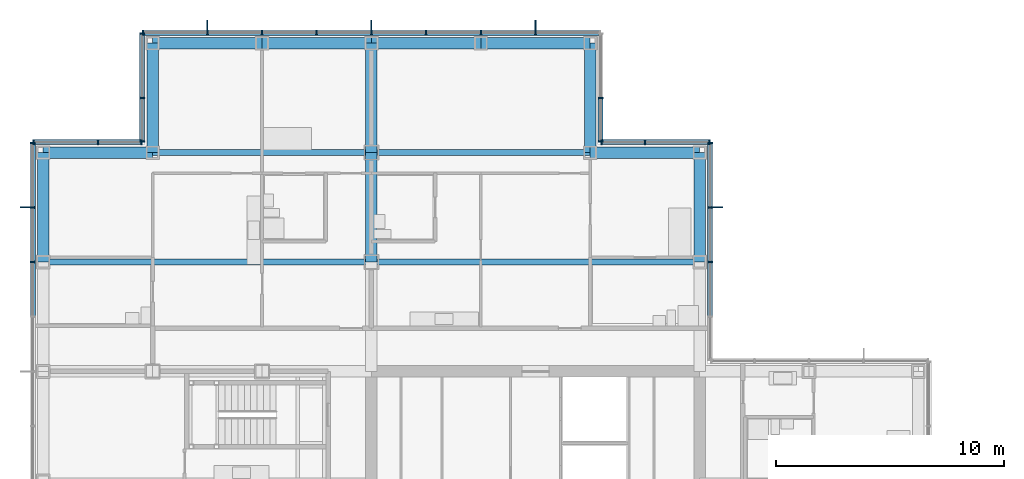
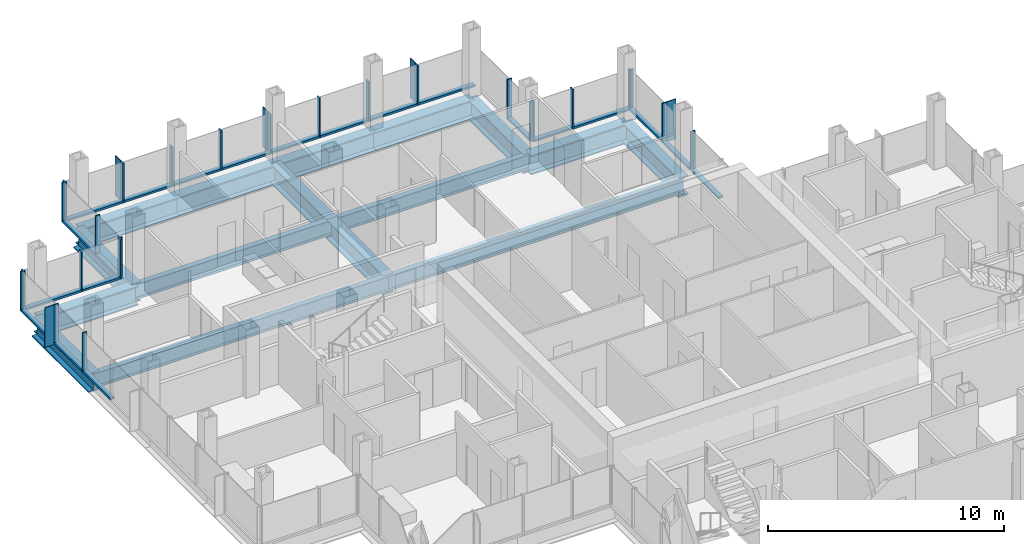
# One storey, part 10 of 20: 51 members, 16 beams, 7 elements without a shape of their own.
"""IFC4 building model written with IfcOpenShell, lengths in metres."""

from ifc_helpers import new_model, si_unit, direction, frame, origin, origin_2d, place, context, subcontext, project, spatial, rectangle, i_section, extrude, material, material_profile, profile_set, type_object, element, aggregate, save


model = new_model("IFC4")

# Units and contexts
model_context = context("Model", 3, precision=1e-05, world=origin(), true_north=direction((0.0, 1.0)))
body_context = subcontext(model_context, "Body", "Model", "MODEL_VIEW")
ifc_project = project(units=[si_unit("LENGTHUNIT", "METRE"), si_unit("AREAUNIT", "SQUARE_METRE"), si_unit("VOLUMEUNIT", "CUBIC_METRE"), si_unit("PLANEANGLEUNIT", "RADIAN"), si_unit("MASSUNIT", "GRAM", prefix="KILO")], contexts=[model_context])

# Site, building, storey
site_placement = place(None, origin())
site = spatial("IfcSite", under=ifc_project, at=site_placement, CompositionType="ELEMENT")
building_placement = place(site_placement, origin())
building = spatial("IfcBuilding", under=site, at=building_placement, Name="Kvirike Care Tower", CompositionType="ELEMENT")
storey_placement = place(building_placement, frame((0.0, 0.0, 133.0)))
storey = spatial("IfcBuildingStorey", under=building, at=storey_placement, Name="L36", CompositionType="ELEMENT", Elevation=133.0)

# Curtain wall, member
ifc_material_1 = material(Name="Anodised aluminium stick system", Category="aluminium")
curtain_wall_type = type_object("IfcCurtainWallType", Name="CW-B STICK CURTAIN WALL", PredefinedType="NOTDEFINED", material=ifc_material_1)
curtain_wall_1_placement = place(storey_placement, origin())
curtain_wall_1 = element("IfcCurtainWall", 1, at=curtain_wall_1_placement, inside=storey, type_object=curtain_wall_type, Name="Curtain wall L36 face 5", PredefinedType="NOTDEFINED")
ifc_material_2 = material(Name="Bronze anodised aluminium fin", Category="aluminium")
ifc_material_profile_1 = material_profile(ifc_material_2, rectangle(XDim=0.050048828125, YDim=0.449951171875, at=origin_2d()), Name="BRONZE FIN 450")
ifc_profile_set_1 = profile_set([ifc_material_profile_1], Name="Bronze anodised aluminium fin")
member_type_1 = type_object("IfcMemberType", Name="BRONZE FIN 450", PredefinedType="USERDEFINED", material=ifc_profile_set_1)
member_1_placement = place(storey_placement, frame((29.594970703125, 50.39990234375, 0.0), z_axis=(0.0, 0.0, 1.0), x_axis=(0.0, 1.0, 0.0)))
member_1 = element("IfcMember", 2, at=member_1_placement, type_object=member_type_1, Name="Bronze fin L36 face 5.4", ObjectType="FIN", PredefinedType="USERDEFINED", context=body_context, shape_type="SweptSolid", body=[
    extrude(rectangle(XDim=0.050048828125, YDim=0.449951171875, at=origin_2d()), origin(), (0.0, 0.0, 1.0), 2.050048828125),
])

# Curtain wall, members
curtain_wall_2_placement = place(storey_placement, origin())
curtain_wall_2 = element("IfcCurtainWall", 3, at=curtain_wall_2_placement, inside=storey, type_object=curtain_wall_type, Name="Curtain wall L36 face 8", PredefinedType="NOTDEFINED")
member_2_placement = place(storey_placement, frame((21.60009765625, 58.39501953125, 0.0), z_axis=(0.0, 0.0, 1.0), x_axis=(-1.0, 0.0, 0.0)))
member_2 = element("IfcMember", 4, at=member_2_placement, type_object=member_type_1, Name="Bronze fin L36 face 8.2", ObjectType="FIN", PredefinedType="USERDEFINED", context=body_context, shape_type="SweptSolid", body=[
    extrude(rectangle(XDim=0.050048828125, YDim=0.449951171875, at=origin_2d()), origin(), (0.0, 0.0, 1.0), 2.050048828125),
])
member_3_placement = place(storey_placement, frame((14.39990234375, 58.39501953125, 0.0), z_axis=(0.0, 0.0, 1.0), x_axis=(-1.0, 0.0, 0.0)))
member_3 = element("IfcMember", 5, at=member_3_placement, type_object=member_type_1, Name="Bronze fin L36 face 8.5", ObjectType="FIN", PredefinedType="USERDEFINED", context=body_context, shape_type="SweptSolid", body=[
    extrude(rectangle(XDim=0.050048828125, YDim=0.449951171875, at=origin_2d()), origin(), (0.0, 0.0, 1.0), 2.050048828125),
])
member_4_placement = place(storey_placement, frame((7.199951171875, 58.39501953125, 0.0), z_axis=(0.0, 0.0, 1.0), x_axis=(-1.0, 0.0, 0.0)))
member_4 = element("IfcMember", 6, at=member_4_placement, type_object=member_type_1, Name="Bronze fin L36 face 8.8", ObjectType="FIN", PredefinedType="USERDEFINED", context=body_context, shape_type="SweptSolid", body=[
    extrude(rectangle(XDim=0.050048828125, YDim=0.449951171875, at=origin_2d()), origin(), (0.0, 0.0, 1.0), 2.050048828125),
])

# Curtain wall, member
curtain_wall_3_placement = place(storey_placement, origin())
curtain_wall_3 = element("IfcCurtainWall", 7, at=curtain_wall_3_placement, inside=storey, type_object=curtain_wall_type, Name="Curtain wall L36 face 11", PredefinedType="NOTDEFINED")
member_5_placement = place(storey_placement, frame((-0.794921875, 50.39990234375, 0.0), z_axis=(0.0, 0.0, 1.0), x_axis=(0.0, -1.0, 0.0)))
member_5 = element("IfcMember", 8, at=member_5_placement, type_object=member_type_1, Name="Bronze fin L36 face 11.2", ObjectType="FIN", PredefinedType="USERDEFINED", context=body_context, shape_type="SweptSolid", body=[
    extrude(rectangle(XDim=0.050048828125, YDim=0.449951171875, at=origin_2d()), origin(), (0.0, 0.0, 1.0), 2.050048828125),
])

# Member
ifc_material_3 = material(Name="Bronze anodised aluminium mullion", Category="aluminium")
ifc_material_profile_2 = material_profile(ifc_material_3, rectangle(XDim=0.06494140625, YDim=0.219970703125, at=origin_2d()), Name="CW-B MULLION 65x220")
ifc_profile_set_2 = profile_set([ifc_material_profile_2], Name="Bronze anodised aluminium mullion")
member_type_2 = type_object("IfcMemberType", Name="CW-B MULLION 65x220", PredefinedType="MULLION", material=ifc_profile_set_2)
member_6_placement = place(storey_placement, frame((29.260009765625, 48.0, 0.0), z_axis=(0.0, 0.0, 1.0), x_axis=(0.0, 1.0, 0.0)))
member_6 = element("IfcMember", 9, at=member_6_placement, type_object=member_type_2, Name="CW-B mullion L36 face 5.3", PredefinedType="MULLION", context=body_context, shape_type="SweptSolid", body=[
    extrude(rectangle(XDim=0.06494140625, YDim=0.219970703125, at=origin_2d()), origin(), (0.0, 0.0, 1.0), 2.050048828125),
])

member_7_placement = place(storey_placement, frame((29.260009765625, 50.39990234375, 0.0), z_axis=(0.0, 0.0, 1.0), x_axis=(0.0, 1.0, 0.0)))
member_7 = element("IfcMember", 10, at=member_7_placement, type_object=member_type_2, Name="CW-B mullion L36 face 5.4", PredefinedType="MULLION", context=body_context, shape_type="SweptSolid", body=[
    extrude(rectangle(XDim=0.06494140625, YDim=0.219970703125, at=origin_2d()), origin(), (0.0, 0.0, 1.0), 2.050048828125),
])

member_8_placement = place(storey_placement, frame((29.260009765625, 53.2275390625, 0.0), z_axis=(0.0, 0.0, 1.0), x_axis=(0.0, 1.0, 0.0)))
member_8 = element("IfcMember", 11, at=member_8_placement, type_object=member_type_2, Name="CW-B mullion L36 face 5.5", PredefinedType="MULLION", context=body_context, shape_type="SweptSolid", body=[
    extrude(rectangle(XDim=0.06494140625, YDim=0.219970703125, at=origin_2d()), origin(), (0.0, 0.0, 1.0), 2.050048828125),
])

# Curtain wall, members
curtain_wall_4_placement = place(storey_placement, origin())
curtain_wall_4 = element("IfcCurtainWall", 12, at=curtain_wall_4_placement, inside=storey, type_object=curtain_wall_type, Name="Curtain wall L36 face 6", PredefinedType="NOTDEFINED")
member_9_placement = place(storey_placement, frame((29.2275390625, 53.260009765625, 0.0), z_axis=(0.0, 0.0, 1.0), x_axis=(-1.0, 0.0, 0.0)))
member_9 = element("IfcMember", 13, at=member_9_placement, type_object=member_type_2, Name="CW-B mullion L36 face 6.1", PredefinedType="MULLION", context=body_context, shape_type="SweptSolid", body=[
    extrude(rectangle(XDim=0.06494140625, YDim=0.219970703125, at=origin_2d()), origin(), (0.0, 0.0, 1.0), 2.050048828125),
])
member_10_placement = place(storey_placement, frame((26.39990234375, 53.260009765625, 0.0), z_axis=(0.0, 0.0, 1.0), x_axis=(-1.0, 0.0, 0.0)))
member_10 = element("IfcMember", 14, at=member_10_placement, type_object=member_type_2, Name="CW-B mullion L36 face 6.2", PredefinedType="MULLION", context=body_context, shape_type="SweptSolid", body=[
    extrude(rectangle(XDim=0.06494140625, YDim=0.219970703125, at=origin_2d()), origin(), (0.0, 0.0, 1.0), 2.050048828125),
])
member_11_placement = place(storey_placement, frame((24.492431640625, 53.260009765625, 0.0), z_axis=(0.0, 0.0, 1.0), x_axis=(-1.0, 0.0, 0.0)))
member_11 = element("IfcMember", 15, at=member_11_placement, type_object=member_type_2, Name="CW-B mullion L36 face 6.3", PredefinedType="MULLION", context=body_context, shape_type="SweptSolid", body=[
    extrude(rectangle(XDim=0.06494140625, YDim=0.219970703125, at=origin_2d()), origin(), (0.0, 0.0, 1.0), 2.050048828125),
])

curtain_wall_5_placement = place(storey_placement, origin())
curtain_wall_5 = element("IfcCurtainWall", 16, at=curtain_wall_5_placement, inside=storey, type_object=curtain_wall_type, Name="Curtain wall L36 face 7", PredefinedType="NOTDEFINED")
member_12_placement = place(storey_placement, frame((24.4599609375, 53.29248046875, 0.0), z_axis=(0.0, 0.0, 1.0), x_axis=(0.0, 1.0, 0.0)))
member_12 = element("IfcMember", 17, at=member_12_placement, type_object=member_type_2, Name="CW-B mullion L36 face 7.1", PredefinedType="MULLION", context=body_context, shape_type="SweptSolid", body=[
    extrude(rectangle(XDim=0.06494140625, YDim=0.219970703125, at=origin_2d()), origin(), (0.0, 0.0, 1.0), 2.050048828125),
])
member_13_placement = place(storey_placement, frame((24.4599609375, 55.199951171875, 0.0), z_axis=(0.0, 0.0, 1.0), x_axis=(0.0, 1.0, 0.0)))
member_13 = element("IfcMember", 18, at=member_13_placement, type_object=member_type_2, Name="CW-B mullion L36 face 7.2", PredefinedType="MULLION", context=body_context, shape_type="SweptSolid", body=[
    extrude(rectangle(XDim=0.06494140625, YDim=0.219970703125, at=origin_2d()), origin(), (0.0, 0.0, 1.0), 2.050048828125),
])

# Member
member_14_placement = place(storey_placement, frame((21.60009765625, 58.06005859375, 0.0), z_axis=(0.0, 0.0, 1.0), x_axis=(-1.0, 0.0, 0.0)))
member_14 = element("IfcMember", 19, at=member_14_placement, type_object=member_type_2, Name="CW-B mullion L36 face 8.2", PredefinedType="MULLION", context=body_context, shape_type="SweptSolid", body=[
    extrude(rectangle(XDim=0.06494140625, YDim=0.219970703125, at=origin_2d()), origin(), (0.0, 0.0, 1.0), 2.050048828125),
])

member_15_placement = place(storey_placement, frame((19.199951171875, 58.06005859375, 0.0), z_axis=(0.0, 0.0, 1.0), x_axis=(-1.0, 0.0, 0.0)))
member_15 = element("IfcMember", 20, at=member_15_placement, type_object=member_type_2, Name="CW-B mullion L36 face 8.3", PredefinedType="MULLION", context=body_context, shape_type="SweptSolid", body=[
    extrude(rectangle(XDim=0.06494140625, YDim=0.219970703125, at=origin_2d()), origin(), (0.0, 0.0, 1.0), 2.050048828125),
])

member_16_placement = place(storey_placement, frame((16.800048828125, 58.06005859375, 0.0), z_axis=(0.0, 0.0, 1.0), x_axis=(-1.0, 0.0, 0.0)))
member_16 = element("IfcMember", 21, at=member_16_placement, type_object=member_type_2, Name="CW-B mullion L36 face 8.4", PredefinedType="MULLION", context=body_context, shape_type="SweptSolid", body=[
    extrude(rectangle(XDim=0.06494140625, YDim=0.219970703125, at=origin_2d()), origin(), (0.0, 0.0, 1.0), 2.050048828125),
])

member_17_placement = place(storey_placement, frame((14.39990234375, 58.06005859375, 0.0), z_axis=(0.0, 0.0, 1.0), x_axis=(-1.0, 0.0, 0.0)))
member_17 = element("IfcMember", 22, at=member_17_placement, type_object=member_type_2, Name="CW-B mullion L36 face 8.5", PredefinedType="MULLION", context=body_context, shape_type="SweptSolid", body=[
    extrude(rectangle(XDim=0.06494140625, YDim=0.219970703125, at=origin_2d()), origin(), (0.0, 0.0, 1.0), 2.050048828125),
])

member_18_placement = place(storey_placement, frame((12.0, 58.06005859375, 0.0), z_axis=(0.0, 0.0, 1.0), x_axis=(-1.0, 0.0, 0.0)))
member_18 = element("IfcMember", 23, at=member_18_placement, type_object=member_type_2, Name="CW-B mullion L36 face 8.6", PredefinedType="MULLION", context=body_context, shape_type="SweptSolid", body=[
    extrude(rectangle(XDim=0.06494140625, YDim=0.219970703125, at=origin_2d()), origin(), (0.0, 0.0, 1.0), 2.050048828125),
])

member_19_placement = place(storey_placement, frame((9.60009765625, 58.06005859375, 0.0), z_axis=(0.0, 0.0, 1.0), x_axis=(-1.0, 0.0, 0.0)))
member_19 = element("IfcMember", 24, at=member_19_placement, type_object=member_type_2, Name="CW-B mullion L36 face 8.7", PredefinedType="MULLION", context=body_context, shape_type="SweptSolid", body=[
    extrude(rectangle(XDim=0.06494140625, YDim=0.219970703125, at=origin_2d()), origin(), (0.0, 0.0, 1.0), 2.050048828125),
])

member_20_placement = place(storey_placement, frame((7.199951171875, 58.06005859375, 0.0), z_axis=(0.0, 0.0, 1.0), x_axis=(-1.0, 0.0, 0.0)))
member_20 = element("IfcMember", 25, at=member_20_placement, type_object=member_type_2, Name="CW-B mullion L36 face 8.8", PredefinedType="MULLION", context=body_context, shape_type="SweptSolid", body=[
    extrude(rectangle(XDim=0.06494140625, YDim=0.219970703125, at=origin_2d()), origin(), (0.0, 0.0, 1.0), 2.050048828125),
])

member_21_placement = place(storey_placement, frame((4.37255859375, 58.06005859375, 0.0), z_axis=(0.0, 0.0, 1.0), x_axis=(-1.0, 0.0, 0.0)))
member_21 = element("IfcMember", 26, at=member_21_placement, type_object=member_type_2, Name="CW-B mullion L36 face 8.9", PredefinedType="MULLION", context=body_context, shape_type="SweptSolid", body=[
    extrude(rectangle(XDim=0.06494140625, YDim=0.219970703125, at=origin_2d()), origin(), (0.0, 0.0, 1.0), 2.050048828125),
])

# Curtain wall, members
curtain_wall_6_placement = place(storey_placement, origin())
curtain_wall_6 = element("IfcCurtainWall", 27, at=curtain_wall_6_placement, inside=storey, type_object=curtain_wall_type, Name="Curtain wall L36 face 9", PredefinedType="NOTDEFINED")
member_22_placement = place(storey_placement, frame((4.340087890625, 58.027587890625, 0.0), z_axis=(0.0, 0.0, 1.0), x_axis=(0.0, -1.0, 0.0)))
member_22 = element("IfcMember", 28, at=member_22_placement, type_object=member_type_2, Name="CW-B mullion L36 face 9.1", PredefinedType="MULLION", context=body_context, shape_type="SweptSolid", body=[
    extrude(rectangle(XDim=0.06494140625, YDim=0.219970703125, at=origin_2d()), origin(), (0.0, 0.0, 1.0), 2.050048828125),
])
member_23_placement = place(storey_placement, frame((4.340087890625, 55.199951171875, 0.0), z_axis=(0.0, 0.0, 1.0), x_axis=(0.0, -1.0, 0.0)))
member_23 = element("IfcMember", 29, at=member_23_placement, type_object=member_type_2, Name="CW-B mullion L36 face 9.2", PredefinedType="MULLION", context=body_context, shape_type="SweptSolid", body=[
    extrude(rectangle(XDim=0.06494140625, YDim=0.219970703125, at=origin_2d()), origin(), (0.0, 0.0, 1.0), 2.050048828125),
])
member_24_placement = place(storey_placement, frame((4.340087890625, 53.29248046875, 0.0), z_axis=(0.0, 0.0, 1.0), x_axis=(0.0, -1.0, 0.0)))
member_24 = element("IfcMember", 30, at=member_24_placement, type_object=member_type_2, Name="CW-B mullion L36 face 9.3", PredefinedType="MULLION", context=body_context, shape_type="SweptSolid", body=[
    extrude(rectangle(XDim=0.06494140625, YDim=0.219970703125, at=origin_2d()), origin(), (0.0, 0.0, 1.0), 2.050048828125),
])

curtain_wall_7_placement = place(storey_placement, origin())
curtain_wall_7 = element("IfcCurtainWall", 31, at=curtain_wall_7_placement, inside=storey, type_object=curtain_wall_type, Name="Curtain wall L36 face 10", PredefinedType="NOTDEFINED")
member_25_placement = place(storey_placement, frame((4.3076171875, 53.260009765625, 0.0), z_axis=(0.0, 0.0, 1.0), x_axis=(-1.0, 0.0, 0.0)))
member_25 = element("IfcMember", 32, at=member_25_placement, type_object=member_type_2, Name="CW-B mullion L36 face 10.1", PredefinedType="MULLION", context=body_context, shape_type="SweptSolid", body=[
    extrude(rectangle(XDim=0.06494140625, YDim=0.219970703125, at=origin_2d()), origin(), (0.0, 0.0, 1.0), 2.050048828125),
])
member_26_placement = place(storey_placement, frame((2.39990234375, 53.260009765625, 0.0), z_axis=(0.0, 0.0, 1.0), x_axis=(-1.0, 0.0, 0.0)))
member_26 = element("IfcMember", 33, at=member_26_placement, type_object=member_type_2, Name="CW-B mullion L36 face 10.2", PredefinedType="MULLION", context=body_context, shape_type="SweptSolid", body=[
    extrude(rectangle(XDim=0.06494140625, YDim=0.219970703125, at=origin_2d()), origin(), (0.0, 0.0, 1.0), 2.050048828125),
])
member_27_placement = place(storey_placement, frame((-0.427490234375, 53.260009765625, 0.0), z_axis=(0.0, 0.0, 1.0), x_axis=(-1.0, 0.0, 0.0)))
member_27 = element("IfcMember", 34, at=member_27_placement, type_object=member_type_2, Name="CW-B mullion L36 face 10.3", PredefinedType="MULLION", context=body_context, shape_type="SweptSolid", body=[
    extrude(rectangle(XDim=0.06494140625, YDim=0.219970703125, at=origin_2d()), origin(), (0.0, 0.0, 1.0), 2.050048828125),
])

# Member
member_28_placement = place(storey_placement, frame((-0.4599609375, 53.2275390625, 0.0), z_axis=(0.0, 0.0, 1.0), x_axis=(0.0, -1.0, 0.0)))
member_28 = element("IfcMember", 35, at=member_28_placement, type_object=member_type_2, Name="CW-B mullion L36 face 11.1", PredefinedType="MULLION", context=body_context, shape_type="SweptSolid", body=[
    extrude(rectangle(XDim=0.06494140625, YDim=0.219970703125, at=origin_2d()), origin(), (0.0, 0.0, 1.0), 2.050048828125),
])

member_29_placement = place(storey_placement, frame((-0.4599609375, 50.39990234375, 0.0), z_axis=(0.0, 0.0, 1.0), x_axis=(0.0, -1.0, 0.0)))
member_29 = element("IfcMember", 36, at=member_29_placement, type_object=member_type_2, Name="CW-B mullion L36 face 11.2", PredefinedType="MULLION", context=body_context, shape_type="SweptSolid", body=[
    extrude(rectangle(XDim=0.06494140625, YDim=0.219970703125, at=origin_2d()), origin(), (0.0, 0.0, 1.0), 2.050048828125),
])

member_30_placement = place(storey_placement, frame((-0.4599609375, 48.0, 0.0), z_axis=(0.0, 0.0, 1.0), x_axis=(0.0, -1.0, 0.0)))
member_30 = element("IfcMember", 37, at=member_30_placement, type_object=member_type_2, Name="CW-B mullion L36 face 11.3", PredefinedType="MULLION", context=body_context, shape_type="SweptSolid", body=[
    extrude(rectangle(XDim=0.06494140625, YDim=0.219970703125, at=origin_2d()), origin(), (0.0, 0.0, 1.0), 2.050048828125),
])

ifc_material_4 = material(Name="Bronze anodised aluminium transom", Category="aluminium")
ifc_material_profile_3 = material_profile(ifc_material_4, rectangle(XDim=0.219970703125, YDim=0.10009765625, at=origin_2d()), Name="CW-B TRANSOM 220x100")
ifc_profile_set_3 = profile_set([ifc_material_profile_3], Name="Bronze anodised aluminium transom")
member_type_3 = type_object("IfcMemberType", Name="CW-B TRANSOM 220x100", PredefinedType="USERDEFINED", material=ifc_profile_set_3)
member_31_placement = place(storey_placement, frame((29.260009765625, 45.632568359375, 0.050048828125), z_axis=(0.0, 1.0, 0.0), x_axis=(-1.0, 0.0, 0.0)))
member_31 = element("IfcMember", 38, at=member_31_placement, type_object=member_type_3, Name="CW-B sill transom L36 face 5.2", ObjectType="TRANSOM", PredefinedType="USERDEFINED", context=body_context, shape_type="SweptSolid", body=[
    extrude(rectangle(XDim=0.219970703125, YDim=0.10009765625, at=origin_2d()), origin(), (0.0, 0.0, 1.0), 2.3349609375),
])

member_32_placement = place(storey_placement, frame((29.260009765625, 48.032470703125, 0.050048828125), z_axis=(0.0, 1.0, 0.0), x_axis=(-1.0, 0.0, 0.0)))
member_32 = element("IfcMember", 39, at=member_32_placement, type_object=member_type_3, Name="CW-B sill transom L36 face 5.3", ObjectType="TRANSOM", PredefinedType="USERDEFINED", context=body_context, shape_type="SweptSolid", body=[
    extrude(rectangle(XDim=0.219970703125, YDim=0.10009765625, at=origin_2d()), origin(), (0.0, 0.0, 1.0), 2.3349609375),
])

member_33_placement = place(storey_placement, frame((29.260009765625, 50.4326171875, 0.050048828125), z_axis=(0.0, 1.0, 0.0), x_axis=(-1.0, 0.0, 0.0)))
member_33 = element("IfcMember", 40, at=member_33_placement, type_object=member_type_3, Name="CW-B sill transom L36 face 5.4", ObjectType="TRANSOM", PredefinedType="USERDEFINED", context=body_context, shape_type="SweptSolid", body=[
    extrude(rectangle(XDim=0.219970703125, YDim=0.10009765625, at=origin_2d()), origin(), (0.0, 0.0, 1.0), 2.762451171875),
])

aggregate(curtain_wall_1, [member_6, member_7, member_1, member_8, member_31, member_32, member_33])

member_34_placement = place(storey_placement, frame((29.195068359375, 53.260009765625, 0.050048828125), z_axis=(-1.0, 0.0, 0.0), x_axis=(0.0, -1.0, 0.0)))
member_34 = element("IfcMember", 41, at=member_34_placement, type_object=member_type_3, Name="CW-B sill transom L36 face 6.1", ObjectType="TRANSOM", PredefinedType="USERDEFINED", context=body_context, shape_type="SweptSolid", body=[
    extrude(rectangle(XDim=0.219970703125, YDim=0.10009765625, at=origin_2d()), origin(), (0.0, 0.0, 1.0), 2.762451171875),
])

member_35_placement = place(storey_placement, frame((26.367431640625, 53.260009765625, 0.050048828125), z_axis=(-1.0, 0.0, 0.0), x_axis=(0.0, -1.0, 0.0)))
member_35 = element("IfcMember", 42, at=member_35_placement, type_object=member_type_3, Name="CW-B sill transom L36 face 6.2", ObjectType="TRANSOM", PredefinedType="USERDEFINED", context=body_context, shape_type="SweptSolid", body=[
    extrude(rectangle(XDim=0.219970703125, YDim=0.10009765625, at=origin_2d()), origin(), (0.0, 0.0, 1.0), 1.842529296875),
])

aggregate(curtain_wall_4, [member_9, member_10, member_11, member_34, member_35])

member_36_placement = place(storey_placement, frame((24.4599609375, 53.324951171875, 0.050048828125), z_axis=(0.0, 1.0, 0.0), x_axis=(-1.0, 0.0, 0.0)))
member_36 = element("IfcMember", 43, at=member_36_placement, type_object=member_type_3, Name="CW-B sill transom L36 face 7.1", ObjectType="TRANSOM", PredefinedType="USERDEFINED", context=body_context, shape_type="SweptSolid", body=[
    extrude(rectangle(XDim=0.219970703125, YDim=0.10009765625, at=origin_2d()), origin(), (0.0, 0.0, 1.0), 1.842529296875),
])

aggregate(curtain_wall_5, [member_12, member_13, member_36])

member_37_placement = place(storey_placement, frame((24.39501953125, 58.06005859375, 0.050048828125), z_axis=(-1.0, 0.0, 0.0), x_axis=(0.0, -1.0, 0.0)))
member_37 = element("IfcMember", 44, at=member_37_placement, type_object=member_type_3, Name="CW-B sill transom L36 face 8.1", ObjectType="TRANSOM", PredefinedType="USERDEFINED", context=body_context, shape_type="SweptSolid", body=[
    extrude(rectangle(XDim=0.219970703125, YDim=0.10009765625, at=origin_2d()), origin(), (0.0, 0.0, 1.0), 2.762451171875),
])

member_38_placement = place(storey_placement, frame((21.5673828125, 58.06005859375, 0.050048828125), z_axis=(-1.0, 0.0, 0.0), x_axis=(0.0, -1.0, 0.0)))
member_38 = element("IfcMember", 45, at=member_38_placement, type_object=member_type_3, Name="CW-B sill transom L36 face 8.2", ObjectType="TRANSOM", PredefinedType="USERDEFINED", context=body_context, shape_type="SweptSolid", body=[
    extrude(rectangle(XDim=0.219970703125, YDim=0.10009765625, at=origin_2d()), origin(), (0.0, 0.0, 1.0), 2.3349609375),
])

member_39_placement = place(storey_placement, frame((19.16748046875, 58.06005859375, 0.050048828125), z_axis=(-1.0, 0.0, 0.0), x_axis=(0.0, -1.0, 0.0)))
member_39 = element("IfcMember", 46, at=member_39_placement, type_object=member_type_3, Name="CW-B sill transom L36 face 8.3", ObjectType="TRANSOM", PredefinedType="USERDEFINED", context=body_context, shape_type="SweptSolid", body=[
    extrude(rectangle(XDim=0.219970703125, YDim=0.10009765625, at=origin_2d()), origin(), (0.0, 0.0, 1.0), 2.3349609375),
])

member_40_placement = place(storey_placement, frame((16.767578125, 58.06005859375, 0.050048828125), z_axis=(-1.0, 0.0, 0.0), x_axis=(0.0, -1.0, 0.0)))
member_40 = element("IfcMember", 47, at=member_40_placement, type_object=member_type_3, Name="CW-B sill transom L36 face 8.4", ObjectType="TRANSOM", PredefinedType="USERDEFINED", context=body_context, shape_type="SweptSolid", body=[
    extrude(rectangle(XDim=0.219970703125, YDim=0.10009765625, at=origin_2d()), origin(), (0.0, 0.0, 1.0), 2.3349609375),
])

member_41_placement = place(storey_placement, frame((14.367431640625, 58.06005859375, 0.050048828125), z_axis=(-1.0, 0.0, 0.0), x_axis=(0.0, -1.0, 0.0)))
member_41 = element("IfcMember", 48, at=member_41_placement, type_object=member_type_3, Name="CW-B sill transom L36 face 8.5", ObjectType="TRANSOM", PredefinedType="USERDEFINED", context=body_context, shape_type="SweptSolid", body=[
    extrude(rectangle(XDim=0.219970703125, YDim=0.10009765625, at=origin_2d()), origin(), (0.0, 0.0, 1.0), 2.3349609375),
])

member_42_placement = place(storey_placement, frame((11.967529296875, 58.06005859375, 0.050048828125), z_axis=(-1.0, 0.0, 0.0), x_axis=(0.0, -1.0, 0.0)))
member_42 = element("IfcMember", 49, at=member_42_placement, type_object=member_type_3, Name="CW-B sill transom L36 face 8.6", ObjectType="TRANSOM", PredefinedType="USERDEFINED", context=body_context, shape_type="SweptSolid", body=[
    extrude(rectangle(XDim=0.219970703125, YDim=0.10009765625, at=origin_2d()), origin(), (0.0, 0.0, 1.0), 2.3349609375),
])

member_43_placement = place(storey_placement, frame((9.5673828125, 58.06005859375, 0.050048828125), z_axis=(-1.0, 0.0, 0.0), x_axis=(0.0, -1.0, 0.0)))
member_43 = element("IfcMember", 50, at=member_43_placement, type_object=member_type_3, Name="CW-B sill transom L36 face 8.7", ObjectType="TRANSOM", PredefinedType="USERDEFINED", context=body_context, shape_type="SweptSolid", body=[
    extrude(rectangle(XDim=0.219970703125, YDim=0.10009765625, at=origin_2d()), origin(), (0.0, 0.0, 1.0), 2.3349609375),
])

member_44_placement = place(storey_placement, frame((7.16748046875, 58.06005859375, 0.050048828125), z_axis=(-1.0, 0.0, 0.0), x_axis=(0.0, -1.0, 0.0)))
member_44 = element("IfcMember", 51, at=member_44_placement, type_object=member_type_3, Name="CW-B sill transom L36 face 8.8", ObjectType="TRANSOM", PredefinedType="USERDEFINED", context=body_context, shape_type="SweptSolid", body=[
    extrude(rectangle(XDim=0.219970703125, YDim=0.10009765625, at=origin_2d()), origin(), (0.0, 0.0, 1.0), 2.762451171875),
])

aggregate(curtain_wall_2, [member_14, member_2, member_15, member_16, member_17, member_3, member_18, member_19, member_20, member_4, member_21, member_37, member_38, member_39, member_40, member_41, member_42, member_43, member_44])

member_45_placement = place(storey_placement, frame((4.340087890625, 57.9951171875, 0.050048828125), z_axis=(0.0, -1.0, 0.0), x_axis=(1.0, 0.0, 0.0)))
member_45 = element("IfcMember", 52, at=member_45_placement, type_object=member_type_3, Name="CW-B sill transom L36 face 9.1", ObjectType="TRANSOM", PredefinedType="USERDEFINED", context=body_context, shape_type="SweptSolid", body=[
    extrude(rectangle(XDim=0.219970703125, YDim=0.10009765625, at=origin_2d()), origin(), (0.0, 0.0, 1.0), 2.7626953125),
])

member_46_placement = place(storey_placement, frame((4.340087890625, 55.16748046875, 0.050048828125), z_axis=(0.0, -1.0, 0.0), x_axis=(1.0, 0.0, 0.0)))
member_46 = element("IfcMember", 53, at=member_46_placement, type_object=member_type_3, Name="CW-B sill transom L36 face 9.2", ObjectType="TRANSOM", PredefinedType="USERDEFINED", context=body_context, shape_type="SweptSolid", body=[
    extrude(rectangle(XDim=0.219970703125, YDim=0.10009765625, at=origin_2d()), origin(), (0.0, 0.0, 1.0), 1.842529296875),
])

aggregate(curtain_wall_6, [member_22, member_23, member_24, member_45, member_46])

member_47_placement = place(storey_placement, frame((4.27490234375, 53.260009765625, 0.050048828125), z_axis=(-1.0, 0.0, 0.0), x_axis=(0.0, -1.0, 0.0)))
member_47 = element("IfcMember", 54, at=member_47_placement, type_object=member_type_3, Name="CW-B sill transom L36 face 10.1", ObjectType="TRANSOM", PredefinedType="USERDEFINED", context=body_context, shape_type="SweptSolid", body=[
    extrude(rectangle(XDim=0.219970703125, YDim=0.10009765625, at=origin_2d()), origin(), (0.0, 0.0, 1.0), 1.84228515625),
])

member_48_placement = place(storey_placement, frame((2.367431640625, 53.260009765625, 0.050048828125), z_axis=(-1.0, 0.0, 0.0), x_axis=(0.0, -1.0, 0.0)))
member_48 = element("IfcMember", 55, at=member_48_placement, type_object=member_type_3, Name="CW-B sill transom L36 face 10.2", ObjectType="TRANSOM", PredefinedType="USERDEFINED", context=body_context, shape_type="SweptSolid", body=[
    extrude(rectangle(XDim=0.219970703125, YDim=0.10009765625, at=origin_2d()), origin(), (0.0, 0.0, 1.0), 2.762451171875),
])

aggregate(curtain_wall_7, [member_25, member_26, member_27, member_47, member_48])

member_49_placement = place(storey_placement, frame((-0.4599609375, 53.195068359375, 0.050048828125), z_axis=(0.0, -1.0, 0.0), x_axis=(1.0, 0.0, 0.0)))
member_49 = element("IfcMember", 56, at=member_49_placement, type_object=member_type_3, Name="CW-B sill transom L36 face 11.1", ObjectType="TRANSOM", PredefinedType="USERDEFINED", context=body_context, shape_type="SweptSolid", body=[
    extrude(rectangle(XDim=0.219970703125, YDim=0.10009765625, at=origin_2d()), origin(), (0.0, 0.0, 1.0), 2.762451171875),
])

member_50_placement = place(storey_placement, frame((-0.4599609375, 50.367431640625, 0.050048828125), z_axis=(0.0, -1.0, 0.0), x_axis=(1.0, 0.0, 0.0)))
member_50 = element("IfcMember", 57, at=member_50_placement, type_object=member_type_3, Name="CW-B sill transom L36 face 11.2", ObjectType="TRANSOM", PredefinedType="USERDEFINED", context=body_context, shape_type="SweptSolid", body=[
    extrude(rectangle(XDim=0.219970703125, YDim=0.10009765625, at=origin_2d()), origin(), (0.0, 0.0, 1.0), 2.3349609375),
])

member_51_placement = place(storey_placement, frame((-0.4599609375, 47.967529296875, 0.050048828125), z_axis=(0.0, -1.0, 0.0), x_axis=(1.0, 0.0, 0.0)))
member_51 = element("IfcMember", 58, at=member_51_placement, type_object=member_type_3, Name="CW-B sill transom L36 face 11.3", ObjectType="TRANSOM", PredefinedType="USERDEFINED", context=body_context, shape_type="SweptSolid", body=[
    extrude(rectangle(XDim=0.219970703125, YDim=0.10009765625, at=origin_2d()), origin(), (0.0, 0.0, 1.0), 2.3349609375),
])

aggregate(curtain_wall_3, [member_28, member_29, member_5, member_30, member_49, member_50, member_51])

# Beams
ifc_material_5 = material(Name="Steel S355", Category="steel")
ifc_material_profile_4 = material_profile(ifc_material_5, i_section(OverallWidth=0.26806640625, OverallDepth=0.77001953125, WebThickness=0.015625, FlangeThickness=0.025390625, FilletRadius=0.01708984375, at=origin_2d()), Name="IPE 750x196")
ifc_profile_set_4 = profile_set([ifc_material_profile_4], Name="Steel S355")
beam_type_1 = type_object("IfcBeamType", Name="FLOOR BEAM IPE 750x196", PredefinedType="BEAM", material=ifc_profile_set_4)
beam_1_placement = place(storey_placement, frame((0.0, 48.0, -0.554931640625), z_axis=(1.0, 0.0, 0.0), x_axis=(0.0, 1.0, 0.0)))
element("IfcBeam", 59, at=beam_1_placement, inside=storey, type_object=beam_type_1, Name="Floor Beam L3-L6 L36", PredefinedType="BEAM", context=body_context, shape_type="SweptSolid", body=[
    extrude(i_section(OverallWidth=0.26806640625, OverallDepth=0.77001953125, WebThickness=0.015625, FlangeThickness=0.025390625, FilletRadius=0.01708984375, at=origin_2d()), origin(), (0.0, 0.0, 1.0), 14.39990234375),
])
beam_2_placement = place(storey_placement, frame((14.39990234375, 48.0, -0.554931640625), z_axis=(1.0, 0.0, 0.0), x_axis=(0.0, 1.0, 0.0)))
element("IfcBeam", 60, at=beam_2_placement, inside=storey, type_object=beam_type_1, Name="Floor Beam L6-L9 L36", PredefinedType="BEAM", context=body_context, shape_type="SweptSolid", body=[
    extrude(i_section(OverallWidth=0.26806640625, OverallDepth=0.77001953125, WebThickness=0.015625, FlangeThickness=0.025390625, FilletRadius=0.01708984375, at=origin_2d()), origin(), (0.0, 0.0, 1.0), 14.400146484375),
])
beam_3_placement = place(storey_placement, frame((4.800048828125, 52.800048828125, -0.554931640625), z_axis=(1.0, 0.0, 0.0), x_axis=(0.0, 1.0, 0.0)))
element("IfcBeam", 61, at=beam_3_placement, inside=storey, type_object=beam_type_1, Name="Floor Beam M4-M6 L36", PredefinedType="BEAM", context=body_context, shape_type="SweptSolid", body=[
    extrude(i_section(OverallWidth=0.26806640625, OverallDepth=0.77001953125, WebThickness=0.015625, FlangeThickness=0.025390625, FilletRadius=0.01708984375, at=origin_2d()), origin(), (0.0, 0.0, 1.0), 9.599853515625),
])
beam_4_placement = place(storey_placement, frame((14.39990234375, 52.800048828125, -0.554931640625), z_axis=(1.0, 0.0, 0.0), x_axis=(0.0, 1.0, 0.0)))
element("IfcBeam", 62, at=beam_4_placement, inside=storey, type_object=beam_type_1, Name="Floor Beam M6-M8 L36", PredefinedType="BEAM", context=body_context, shape_type="SweptSolid", body=[
    extrude(i_section(OverallWidth=0.26806640625, OverallDepth=0.77001953125, WebThickness=0.015625, FlangeThickness=0.025390625, FilletRadius=0.01708984375, at=origin_2d()), origin(), (0.0, 0.0, 1.0), 9.60009765625),
])
ifc_material_6 = material(Name="Steel S355", Category="steel")
ifc_material_profile_5 = material_profile(ifc_material_6, i_section(OverallWidth=0.5, OverallDepth=1.0, WebThickness=0.030029296875, FlangeThickness=0.06005859375, at=origin_2d()), Name="PG 1000x500x30x60")
ifc_profile_set_5 = profile_set([ifc_material_profile_5], Name="Steel S355")
beam_type_2 = type_object("IfcBeamType", Name="FRAME BEAM PG 1000x500x30x60", PredefinedType="BEAM", material=ifc_profile_set_5)
for number, where, z_axis, x_axis, name in (
    (63, (14.39990234375, 48.0, -0.669921875), (0.0, 1.0, 0.0), (-1.0, 0.0, 0.0), "Frame Beam L6-M6 L36"),
    (64, (14.39990234375, 52.800048828125, -0.669921875), (0.0, 1.0, 0.0), (-1.0, 0.0, 0.0), "Frame Beam M6-N6 L36"),
):
    element("IfcBeam", number, at=place(storey_placement, frame(where, z_axis=z_axis, x_axis=x_axis)), inside=storey, type_object=beam_type_2, Name=name, PredefinedType="BEAM", context=body_context, shape_type="SweptSolid", body=[
        extrude(i_section(OverallWidth=0.5, OverallDepth=1.0, WebThickness=0.030029296875, FlangeThickness=0.06005859375, at=origin_2d()), origin(), (0.0, 0.0, 1.0), 4.800048828125),
    ])
ifc_material_7 = material(Name="Steel S355", Category="steel")
ifc_material_profile_6 = material_profile(ifc_material_7, i_section(OverallWidth=0.5, OverallDepth=1.0, WebThickness=0.030029296875, FlangeThickness=0.06005859375, at=origin_2d()), Name="PG 1000x500x30x60")
ifc_profile_set_6 = profile_set([ifc_material_profile_6], Name="Steel S355")
beam_type_3 = type_object("IfcBeamType", Name="SPANDREL PG 1000x500x30x60", PredefinedType="SPANDREL", material=ifc_profile_set_6)
for number, where, z_axis, x_axis, name in (
    (65, (0.0, 52.800048828125, -0.669921875), (1.0, 0.0, 0.0), (0.0, 1.0, 0.0), "Spandrel M3-M4 L36"),
    (66, (24.0, 52.800048828125, -0.669921875), (1.0, 0.0, 0.0), (0.0, 1.0, 0.0), "Spandrel M8-M9 L36"),
    (67, (4.800048828125, 57.60009765625, -0.669921875), (1.0, 0.0, 0.0), (0.0, 1.0, 0.0), "Spandrel N4-N5 L36"),
):
    element("IfcBeam", number, at=place(storey_placement, frame(where, z_axis=z_axis, x_axis=x_axis)), inside=storey, type_object=beam_type_3, Name=name, PredefinedType="SPANDREL", context=body_context, shape_type="SweptSolid", body=[
        extrude(i_section(OverallWidth=0.5, OverallDepth=1.0, WebThickness=0.030029296875, FlangeThickness=0.06005859375, at=origin_2d()), origin(), (0.0, 0.0, 1.0), 4.800048828125),
    ])
beam_5_placement = place(storey_placement, frame((9.60009765625, 57.60009765625, -0.669921875), z_axis=(1.0, 0.0, 0.0), x_axis=(0.0, 1.0, 0.0)))
element("IfcBeam", 68, at=beam_5_placement, inside=storey, type_object=beam_type_3, Name="Spandrel N5-N6 L36", PredefinedType="SPANDREL", context=body_context, shape_type="SweptSolid", body=[
    extrude(i_section(OverallWidth=0.5, OverallDepth=1.0, WebThickness=0.030029296875, FlangeThickness=0.06005859375, at=origin_2d()), origin(), (0.0, 0.0, 1.0), 4.7998046875),
])
for number, where, z_axis, x_axis, name in (
    (69, (14.39990234375, 57.60009765625, -0.669921875), (1.0, 0.0, 0.0), (0.0, 1.0, 0.0), "Spandrel N6-N7 L36"),
    (70, (19.199951171875, 57.60009765625, -0.669921875), (1.0, 0.0, 0.0), (0.0, 1.0, 0.0), "Spandrel N7-N8 L36"),
    (71, (0.0, 48.0, -0.669921875), (0.0, 1.0, 0.0), (-1.0, 0.0, 0.0), "Spandrel L3-M3 L36"),
    (72, (4.800048828125, 52.800048828125, -0.669921875), (0.0, 1.0, 0.0), (-1.0, 0.0, 0.0), "Spandrel M4-N4 L36"),
    (73, (24.0, 52.800048828125, -0.669921875), (0.0, 1.0, 0.0), (-1.0, 0.0, 0.0), "Spandrel M8-N8 L36"),
    (74, (28.800048828125, 48.0, -0.669921875), (0.0, 1.0, 0.0), (-1.0, 0.0, 0.0), "Spandrel L9-M9 L36"),
):
    element("IfcBeam", number, at=place(storey_placement, frame(where, z_axis=z_axis, x_axis=x_axis)), inside=storey, type_object=beam_type_3, Name=name, PredefinedType="SPANDREL", context=body_context, shape_type="SweptSolid", body=[
        extrude(i_section(OverallWidth=0.5, OverallDepth=1.0, WebThickness=0.030029296875, FlangeThickness=0.06005859375, at=origin_2d()), origin(), (0.0, 0.0, 1.0), 4.800048828125),
    ])

save(model, "model.ifc")
